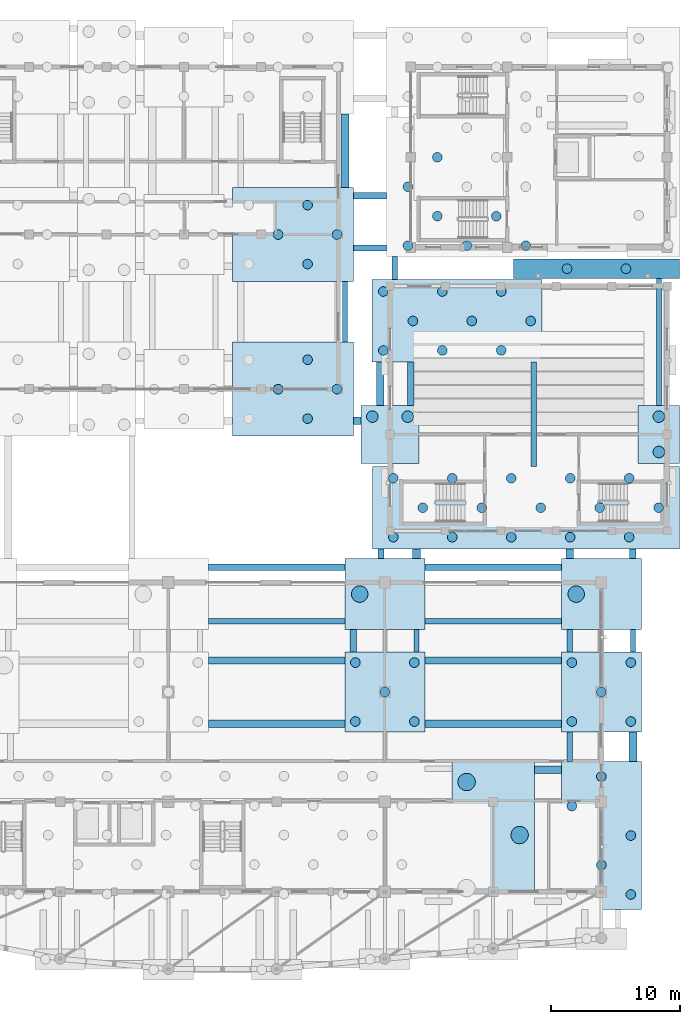
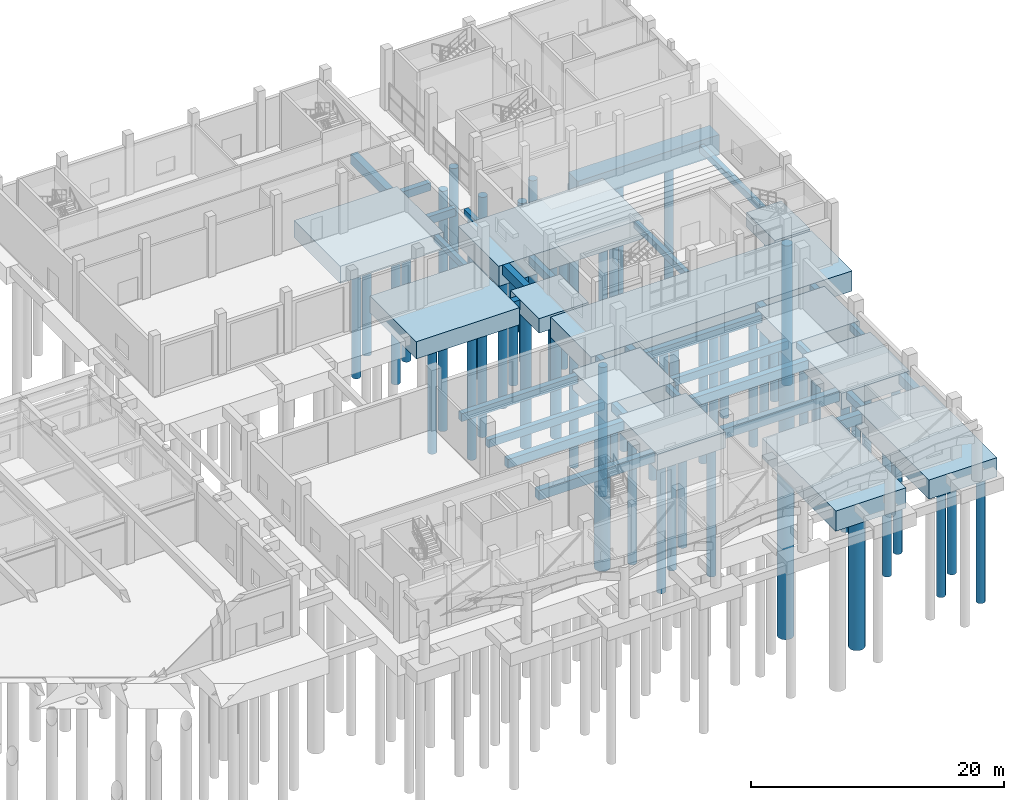
# One storey, part 7 of 60: 64 piles, 42 footings.
"""IFC4 building model written with IfcOpenShell, lengths in metres."""

from ifc_helpers import new_model, si_unit, direction, frame, origin, origin_2d, place, context, subcontext, project, spatial, rectangle, circle, extrude, material, material_profile, profile_set, type_object, element, save


model = new_model("IFC4")

# Units and contexts
model_context = context("Model", 3, precision=1e-05, world=origin(), true_north=direction((0.0, 1.0)))
body_context = subcontext(model_context, "Body", "Model", "MODEL_VIEW")
ifc_project = project(units=[si_unit("LENGTHUNIT", "METRE"), si_unit("AREAUNIT", "SQUARE_METRE"), si_unit("VOLUMEUNIT", "CUBIC_METRE"), si_unit("PLANEANGLEUNIT", "RADIAN"), si_unit("MASSUNIT", "GRAM", prefix="KILO")], contexts=[model_context])

# Site, building, storey
site_placement = place(None, origin())
site = spatial("IfcSite", under=ifc_project, at=site_placement, CompositionType="ELEMENT")
building_placement = place(site_placement, origin())
building = spatial("IfcBuilding", under=site, at=building_placement, Name="Trellovar Central Fire Station", CompositionType="ELEMENT")
storey_placement = place(building_placement, origin())
storey = spatial("IfcBuildingStorey", under=building, at=storey_placement, Name="L01", CompositionType="ELEMENT", Elevation=0.0)

# Footings
ifc_material_1 = material(Name="Concrete C35/45", Category="concrete")
footing_type_1 = type_object("IfcFootingType", Name="CAP-PC30", PredefinedType="PILE_CAP", material=ifc_material_1)
for number, where, z_axis, x_axis, name in (
    (1, (139.10009765625, 32.10009765625, -2.25), (0.0, 0.0, 1.0), (1.0, 0.0, 0.0), "Pile cap PC-30 at (139.1, 32.1)"),
    (2, (155.89990234375, 32.10009765625, -2.25), (0.0, 0.0, 1.0), (1.0, 0.0, 0.0), "Pile cap PC-30 at (155.9, 32.1)"),
):
    element("IfcFooting", number, at=place(storey_placement, frame(where, z_axis=z_axis, x_axis=x_axis)), inside=storey, type_object=footing_type_1, Name=name, PredefinedType="PILE_CAP", context=body_context, shape_type="SweptSolid", body=[
        extrude(rectangle(XDim=6.199951171875, YDim=5.5, at=origin_2d()), origin(), (0.0, 0.0, 1.0), 1.85009765625),
    ])
ifc_material_2 = material(Name="Concrete C35/45", Category="concrete")
footing_type_2 = type_object("IfcFootingType", Name="CAP-PC33", PredefinedType="PILE_CAP", material=ifc_material_2)
for number, where, z_axis, x_axis, name in (
    (3, (139.10009765625, 24.5, -1.9501953125), (0.0, 0.0, 1.0), (1.0, 0.0, 0.0), "Pile cap PC-33 at (139.1, 24.5)"),
    (4, (155.89990234375, 24.5, -1.9501953125), (0.0, 0.0, 1.0), (1.0, 0.0, 0.0), "Pile cap PC-33 at (155.9, 24.5)"),
):
    element("IfcFooting", number, at=place(storey_placement, frame(where, z_axis=z_axis, x_axis=x_axis)), inside=storey, type_object=footing_type_2, Name=name, PredefinedType="PILE_CAP", context=body_context, shape_type="SweptSolid", body=[
        extrude(rectangle(XDim=6.199951171875, YDim=6.199951171875, at=origin_2d()), origin(), (0.0, 0.0, 1.0), 1.550048828125),
    ])
ifc_material_3 = material(Name="Concrete C35/45", Category="concrete")
footing_type_3 = type_object("IfcFootingType", Name="CAP-PC36", PredefinedType="PILE_CAP", material=ifc_material_3)
for number, where, z_axis, x_axis, name in (
    (5, (131.9599609375, 48.0, -2.050048828125), (0.0, 0.0, 1.0), (1.0, 0.0, 0.0), "Pile cap PC-36 at (132.0, 48.0)"),
    (6, (131.9599609375, 60.0, -2.050048828125), (0.0, 0.0, 1.0), (1.0, 0.0, 0.0), "Pile cap PC-36 at (132.0, 60.0)"),
):
    element("IfcFooting", number, at=place(storey_placement, frame(where, z_axis=z_axis, x_axis=x_axis)), inside=storey, type_object=footing_type_3, Name=name, PredefinedType="PILE_CAP", context=body_context, shape_type="SweptSolid", body=[
        extrude(rectangle(XDim=9.39990234375, YDim=7.300048828125, at=origin_2d()), origin(), (0.0, 0.0, 1.0), 1.64990234375),
    ])
ifc_material_4 = material(Name="Concrete C35/45", Category="concrete")
footing_type_4 = type_object("IfcFootingType", Name="CAP-PC37", PredefinedType="PILE_CAP", material=ifc_material_4)
footing_1_placement = place(storey_placement, frame((150.050048828125, 38.804931640625, -2.35009765625), z_axis=(0.0, 0.0, 1.0), x_axis=(1.0, 0.0, 0.0)))
element("IfcFooting", 7, at=footing_1_placement, inside=storey, type_object=footing_type_4, Name="Pile cap PC-37 at (150.1, 38.8)", PredefinedType="PILE_CAP", context=body_context, shape_type="SweptSolid", body=[
    extrude(rectangle(XDim=23.800048828125, YDim=6.39990234375, at=origin_2d()), origin(), (0.0, 0.0, 1.0), 1.949951171875),
])
ifc_material_5 = material(Name="Concrete C35/45", Category="concrete")
footing_type_5 = type_object("IfcFootingType", Name="CAP-PC38", PredefinedType="PILE_CAP", material=ifc_material_5)
footing_2_placement = place(storey_placement, frame((139.5, 44.5, -1.800048828125), z_axis=(0.0, 0.0, 1.0), x_axis=(1.0, 0.0, 0.0)))
element("IfcFooting", 8, at=footing_2_placement, inside=storey, type_object=footing_type_5, Name="Pile cap PC-38 at (139.5, 44.5)", PredefinedType="PILE_CAP", context=body_context, shape_type="SweptSolid", body=[
    extrude(rectangle(XDim=4.5, YDim=4.5, at=origin_2d()), origin(), (0.0, 0.0, 1.0), 1.39990234375),
])
ifc_material_6 = material(Name="Concrete C35/45", Category="concrete")
footing_type_6 = type_object("IfcFootingType", Name="CAP-PC39", PredefinedType="PILE_CAP", material=ifc_material_6)
footing_3_placement = place(storey_placement, frame((144.701904296875, 53.294921875, -2.35009765625), z_axis=(0.0, 0.0, 1.0), x_axis=(1.0, 0.0, 0.0)))
element("IfcFooting", 9, at=footing_3_placement, inside=storey, type_object=footing_type_6, Name="Pile cap PC-39 at (144.7, 53.3)", PredefinedType="PILE_CAP", context=body_context, shape_type="SweptSolid", body=[
    extrude(rectangle(XDim=13.199951171875, YDim=6.39990234375, at=origin_2d()), origin(), (0.0, 0.0, 1.0), 1.949951171875),
])
ifc_material_7 = material(Name="Concrete C35/45", Category="concrete")
footing_type_7 = type_object("IfcFootingType", Name="CAP-PC42", PredefinedType="PILE_CAP", material=ifc_material_7)
footing_4_placement = place(storey_placement, frame((147.5, 13.402099609375, -2.35009765625), z_axis=(0.0, 0.0, 1.0), x_axis=(1.0, 0.0, 0.0)))
element("IfcFooting", 10, at=footing_4_placement, inside=storey, type_object=footing_type_7, Name="Pile cap PC-42 at (147.5, 13.4)", PredefinedType="PILE_CAP", context=body_context, shape_type="SweptSolid", body=[
    extrude(rectangle(XDim=6.39990234375, YDim=11.60009765625, at=origin_2d()), origin(), (0.0, 0.0, 1.0), 1.949951171875),
])
ifc_material_8 = material(Name="Concrete C35/45", Category="concrete")
footing_type_8 = type_object("IfcFootingType", Name="CAP-PC43", PredefinedType="PILE_CAP", material=ifc_material_8)
footing_5_placement = place(storey_placement, frame((155.52197265625, 57.35009765625, -1.9501953125), z_axis=(0.0, 0.0, 1.0), x_axis=(1.0, 0.0, 0.0)))
element("IfcFooting", 11, at=footing_5_placement, inside=storey, type_object=footing_type_8, Name="Pile cap PC-43 at (155.5, 57.4)", PredefinedType="PILE_CAP", context=body_context, shape_type="SweptSolid", body=[
    extrude(rectangle(XDim=12.89990234375, YDim=1.5, at=origin_2d()), origin(), (0.0, 0.0, 1.0), 1.949951171875),
])
ifc_material_9 = material(Name="Concrete C35/45", Category="concrete")
footing_type_9 = type_object("IfcFootingType", Name="CAP-PC44", PredefinedType="PILE_CAP", material=ifc_material_9)
footing_6_placement = place(storey_placement, frame((155.89990234375, 13.363037109375, -2.25), z_axis=(0.0, 0.0, 1.0), x_axis=(1.0, 0.0, 0.0)))
element("IfcFooting", 12, at=footing_6_placement, inside=storey, type_object=footing_type_9, Name="Pile cap PC-44 at (155.9, 13.4)", PredefinedType="PILE_CAP", context=body_context, shape_type="SweptSolid", body=[
    extrude(rectangle(XDim=6.199951171875, YDim=11.5, at=origin_2d()), origin(), (0.0, 0.0, 1.0), 1.85009765625),
])
ifc_material_10 = material(Name="Concrete C35/45", Category="concrete")
footing_type_10 = type_object("IfcFootingType", Name="CAP-PC45", PredefinedType="PILE_CAP", material=ifc_material_10)
footing_7_placement = place(storey_placement, frame((160.360107421875, 44.5, -1.800048828125), z_axis=(0.0, 0.0, 1.0), x_axis=(1.0, 0.0, 0.0)))
element("IfcFooting", 13, at=footing_7_placement, inside=storey, type_object=footing_type_10, Name="Pile cap PC-45 at (160.4, 44.5)", PredefinedType="PILE_CAP", context=body_context, shape_type="SweptSolid", body=[
    extrude(rectangle(XDim=3.199951171875, YDim=4.5, at=origin_2d()), origin(), (0.0, 0.0, 1.0), 1.39990234375),
])
ifc_material_11 = material(Name="Concrete C35/45", Category="concrete")
ifc_material_profile_1 = material_profile(ifc_material_11, rectangle(XDim=0.5, YDim=0.800048828125, at=origin_2d()), Name="RC500X800")
ifc_profile_set_1 = profile_set([ifc_material_profile_1], Name="Concrete C35/45")
footing_type_11 = type_object("IfcFootingType", Name="FB-GB1", PredefinedType="FOOTING_BEAM", material=ifc_profile_set_1)
footing_8_placement = place(storey_placement, frame((136.64990234375, 27.60009765625, -0.800048828125), z_axis=(0.0, 1.0, 0.0), x_axis=(-1.0, 0.0, 0.0)))
element("IfcFooting", 14, at=footing_8_placement, inside=storey, type_object=footing_type_11, Name="Footing tie beam GB-231", PredefinedType="FOOTING_BEAM", context=body_context, shape_type="SweptSolid", body=[
    extrude(rectangle(XDim=0.5, YDim=0.800048828125, at=origin_2d()), origin(), (0.0, 0.0, 1.0), 1.75),
])
footing_9_placement = place(storey_placement, frame((141.10009765625, 46.75, -0.800048828125), z_axis=(0.0, 1.0, 0.0), x_axis=(-1.0, 0.0, 0.0)))
element("IfcFooting", 15, at=footing_9_placement, inside=storey, type_object=footing_type_11, Name="Footing tie beam GB-239", PredefinedType="FOOTING_BEAM", context=body_context, shape_type="SweptSolid", body=[
    extrude(rectangle(XDim=0.5, YDim=0.800048828125, at=origin_2d()), origin(), (0.0, 0.0, 1.0), 3.344970703125),
])
footing_10_placement = place(storey_placement, frame((158.35009765625, 34.85009765625, -0.800048828125), z_axis=(0.0, 1.0, 0.0), x_axis=(-1.0, 0.0, 0.0)))
element("IfcFooting", 16, at=footing_10_placement, inside=storey, type_object=footing_type_11, Name="Footing tie beam GB-259", PredefinedType="FOOTING_BEAM", context=body_context, shape_type="SweptSolid", body=[
    extrude(rectangle(XDim=0.5, YDim=0.800048828125, at=origin_2d()), origin(), (0.0, 0.0, 1.0), 0.7548828125),
])
ifc_material_12 = material(Name="Concrete C35/45", Category="concrete")
ifc_material_profile_2 = material_profile(ifc_material_12, rectangle(XDim=0.60009765625, YDim=0.949951171875, at=origin_2d()), Name="RC600X950")
ifc_profile_set_2 = profile_set([ifc_material_profile_2], Name="Concrete C35/45")
footing_type_12 = type_object("IfcFootingType", Name="FB-GB2", PredefinedType="FOOTING_BEAM", material=ifc_profile_set_2)
footing_11_placement = place(storey_placement, frame((125.39990234375, 22.050048828125, -0.875), z_axis=(1.0, 0.0, 0.0), x_axis=(0.0, 1.0, 0.0)))
element("IfcFooting", 17, at=footing_11_placement, inside=storey, type_object=footing_type_12, Name="Footing tie beam GB-197", PredefinedType="FOOTING_BEAM", context=body_context, shape_type="SweptSolid", body=[
    extrude(rectangle(XDim=0.60009765625, YDim=0.949951171875, at=origin_2d()), origin(), (0.0, 0.0, 1.0), 10.60009765625),
])
footing_12_placement = place(storey_placement, frame((136.659912109375, 45.550048828125, -0.875), z_axis=(1.0, 0.0, 0.0), x_axis=(0.0, 1.0, 0.0)))
element("IfcFooting", 18, at=footing_12_placement, inside=storey, type_object=footing_type_12, Name="Footing tie beam GB-214", PredefinedType="FOOTING_BEAM", context=body_context, shape_type="SweptSolid", body=[
    extrude(rectangle(XDim=0.60009765625, YDim=0.949951171875, at=origin_2d()), origin(), (0.0, 0.0, 1.0), 0.590087890625),
])
footing_13_placement = place(storey_placement, frame((136.010009765625, 63.64990234375, -0.875), z_axis=(0.0, 1.0, 0.0), x_axis=(-1.0, 0.0, 0.0)))
element("IfcFooting", 19, at=footing_13_placement, inside=storey, type_object=footing_type_12, Name="Footing tie beam GB-220", PredefinedType="FOOTING_BEAM", context=body_context, shape_type="SweptSolid", body=[
    extrude(rectangle(XDim=0.60009765625, YDim=0.949951171875, at=origin_2d()), origin(), (0.0, 0.0, 1.0), 5.7001953125),
])
footing_14_placement = place(storey_placement, frame((142.199951171875, 22.050048828125, -0.875), z_axis=(1.0, 0.0, 0.0), x_axis=(0.0, 1.0, 0.0)))
element("IfcFooting", 20, at=footing_14_placement, inside=storey, type_object=footing_type_12, Name="Footing tie beam GB-229", PredefinedType="FOOTING_BEAM", context=body_context, shape_type="SweptSolid", body=[
    extrude(rectangle(XDim=0.60009765625, YDim=0.949951171875, at=origin_2d()), origin(), (0.0, 0.0, 1.0), 10.60009765625),
])
footing_15_placement = place(storey_placement, frame((141.550048828125, 34.85009765625, -0.875), z_axis=(0.0, 1.0, 0.0), x_axis=(-1.0, 0.0, 0.0)))
element("IfcFooting", 21, at=footing_15_placement, inside=storey, type_object=footing_type_12, Name="Footing tie beam GB-236", PredefinedType="FOOTING_BEAM", context=body_context, shape_type="SweptSolid", body=[
    extrude(rectangle(XDim=0.60009765625, YDim=0.949951171875, at=origin_2d()), origin(), (0.0, 0.0, 1.0), 0.7548828125),
])
footing_16_placement = place(storey_placement, frame((138.751953125, 46.75, -0.875), z_axis=(0.0, 1.0, 0.0), x_axis=(-1.0, 0.0, 0.0)))
element("IfcFooting", 22, at=footing_16_placement, inside=storey, type_object=footing_type_12, Name="Footing tie beam GB-238", PredefinedType="FOOTING_BEAM", context=body_context, shape_type="SweptSolid", body=[
    extrude(rectangle(XDim=0.60009765625, YDim=0.949951171875, at=origin_2d()), origin(), (0.0, 0.0, 1.0), 3.344970703125),
])
footing_17_placement = place(storey_placement, frame((150.699951171875, 18.462890625, -0.875), z_axis=(1.0, 0.0, 0.0), x_axis=(0.0, 1.0, 0.0)))
element("IfcFooting", 23, at=footing_17_placement, inside=storey, type_object=footing_type_12, Name="Footing tie beam GB-251", PredefinedType="FOOTING_BEAM", context=body_context, shape_type="SweptSolid", body=[
    extrude(rectangle(XDim=0.60009765625, YDim=0.949951171875, at=origin_2d()), origin(), (0.0, 0.0, 1.0), 2.10009765625),
])
footing_18_placement = place(storey_placement, frame((158.35009765625, 19.113037109375, -0.875), z_axis=(0.0, 1.0, 0.0), x_axis=(-1.0, 0.0, 0.0)))
element("IfcFooting", 24, at=footing_18_placement, inside=storey, type_object=footing_type_12, Name="Footing tie beam GB-255", PredefinedType="FOOTING_BEAM", context=body_context, shape_type="SweptSolid", body=[
    extrude(rectangle(XDim=0.60009765625, YDim=0.949951171875, at=origin_2d()), origin(), (0.0, 0.0, 1.0), 2.286865234375),
])
footing_19_placement = place(storey_placement, frame((153.449951171875, 34.85009765625, -0.875), z_axis=(0.0, 1.0, 0.0), x_axis=(-1.0, 0.0, 0.0)))
element("IfcFooting", 25, at=footing_19_placement, inside=storey, type_object=footing_type_12, Name="Footing tie beam GB-258", PredefinedType="FOOTING_BEAM", context=body_context, shape_type="SweptSolid", body=[
    extrude(rectangle(XDim=0.60009765625, YDim=0.949951171875, at=origin_2d()), origin(), (0.0, 0.0, 1.0), 0.7548828125),
])
ifc_material_13 = material(Name="Concrete C35/45", Category="concrete")
ifc_material_profile_3 = material_profile(ifc_material_13, rectangle(XDim=0.449951171875, YDim=0.75, at=origin_2d()), Name="RC450X750")
ifc_profile_set_3 = profile_set([ifc_material_profile_3], Name="Concrete C35/45")
footing_type_13 = type_object("IfcFootingType", Name="FB-GB3", PredefinedType="FOOTING_BEAM", material=ifc_profile_set_3)
footing_20_placement = place(storey_placement, frame((125.39990234375, 30.0, -0.77490234375), z_axis=(1.0, 0.0, 0.0), x_axis=(0.0, 1.0, 0.0)))
element("IfcFooting", 26, at=footing_20_placement, inside=storey, type_object=footing_type_13, Name="Footing tie beam GB-201", PredefinedType="FOOTING_BEAM", context=body_context, shape_type="SweptSolid", body=[
    extrude(rectangle(XDim=0.449951171875, YDim=0.75, at=origin_2d()), origin(), (0.0, 0.0, 1.0), 10.60009765625),
])
footing_21_placement = place(storey_placement, frame((136.659912109375, 58.962890625, -0.77490234375), z_axis=(1.0, 0.0, 0.0), x_axis=(0.0, 1.0, 0.0)))
element("IfcFooting", 27, at=footing_21_placement, inside=storey, type_object=footing_type_13, Name="Footing tie beam GB-217", PredefinedType="FOOTING_BEAM", context=body_context, shape_type="SweptSolid", body=[
    extrude(rectangle(XDim=0.449951171875, YDim=0.75, at=origin_2d()), origin(), (0.0, 0.0, 1.0), 2.552001953125),
])
footing_22_placement = place(storey_placement, frame((142.199951171875, 30.0, -0.77490234375), z_axis=(1.0, 0.0, 0.0), x_axis=(0.0, 1.0, 0.0)))
element("IfcFooting", 28, at=footing_22_placement, inside=storey, type_object=footing_type_13, Name="Footing tie beam GB-233", PredefinedType="FOOTING_BEAM", context=body_context, shape_type="SweptSolid", body=[
    extrude(rectangle(XDim=0.449951171875, YDim=0.75, at=origin_2d()), origin(), (0.0, 0.0, 1.0), 10.60009765625),
])
ifc_material_14 = material(Name="Concrete C35/45", Category="concrete")
ifc_material_profile_4 = material_profile(ifc_material_14, rectangle(XDim=0.39990234375, YDim=0.64990234375, at=origin_2d()), Name="RC400X650")
ifc_profile_set_4 = profile_set([ifc_material_profile_4], Name="Concrete C35/45")
footing_type_14 = type_object("IfcFootingType", Name="FB-GB4", PredefinedType="FOOTING_BEAM", material=ifc_profile_set_4)
footing_23_placement = place(storey_placement, frame((150.652099609375, 42.0048828125, -0.72509765625), z_axis=(0.0, 1.0, 0.0), x_axis=(-1.0, 0.0, 0.0)))
element("IfcFooting", 29, at=footing_23_placement, inside=storey, type_object=footing_type_14, Name="Footing tie beam GB-237", PredefinedType="FOOTING_BEAM", context=body_context, shape_type="SweptSolid", body=[
    extrude(rectangle(XDim=0.39990234375, YDim=0.64990234375, at=origin_2d()), origin(), (0.0, 0.0, 1.0), 8.090087890625),
])
footing_24_placement = place(storey_placement, frame((139.862060546875, 56.4951171875, -0.72509765625), z_axis=(0.0, 1.0, 0.0), x_axis=(-1.0, 0.0, 0.0)))
element("IfcFooting", 30, at=footing_24_placement, inside=storey, type_object=footing_type_14, Name="Footing tie beam GB-240", PredefinedType="FOOTING_BEAM", context=body_context, shape_type="SweptSolid", body=[
    extrude(rectangle(XDim=0.39990234375, YDim=0.64990234375, at=origin_2d()), origin(), (0.0, 0.0, 1.0), 1.81787109375),
])
footing_25_placement = place(storey_placement, frame((158.35009765625, 27.60009765625, -0.72509765625), z_axis=(0.0, 1.0, 0.0), x_axis=(-1.0, 0.0, 0.0)))
element("IfcFooting", 31, at=footing_25_placement, inside=storey, type_object=footing_type_14, Name="Footing tie beam GB-257", PredefinedType="FOOTING_BEAM", context=body_context, shape_type="SweptSolid", body=[
    extrude(rectangle(XDim=0.39990234375, YDim=0.64990234375, at=origin_2d()), origin(), (0.0, 0.0, 1.0), 1.75),
])
footing_26_placement = place(storey_placement, frame((160.360107421875, 46.75, -0.72509765625), z_axis=(0.0, 1.0, 0.0), x_axis=(-1.0, 0.0, 0.0)))
element("IfcFooting", 32, at=footing_26_placement, inside=storey, type_object=footing_type_14, Name="Footing tie beam GB-260", PredefinedType="FOOTING_BEAM", context=body_context, shape_type="SweptSolid", body=[
    extrude(rectangle(XDim=0.39990234375, YDim=0.64990234375, at=origin_2d()), origin(), (0.0, 0.0, 1.0), 9.85009765625),
])
ifc_material_15 = material(Name="Concrete C35/45", Category="concrete")
ifc_material_profile_5 = material_profile(ifc_material_15, rectangle(XDim=0.550048828125, YDim=0.85009765625, at=origin_2d()), Name="RC550X850")
ifc_profile_set_5 = profile_set([ifc_material_profile_5], Name="Concrete C35/45")
footing_type_15 = type_object("IfcFootingType", Name="FB-GB5", PredefinedType="FOOTING_BEAM", material=ifc_profile_set_5)
for number, where, z_axis, x_axis, name in (
    (33, (125.39990234375, 26.949951171875, -0.824951171875), (1.0, 0.0, 0.0), (0.0, 1.0, 0.0), "Footing tie beam GB-198"),
    (34, (142.199951171875, 26.949951171875, -0.824951171875), (1.0, 0.0, 0.0), (0.0, 1.0, 0.0), "Footing tie beam GB-230"),
):
    element("IfcFooting", number, at=place(storey_placement, frame(where, z_axis=z_axis, x_axis=x_axis)), inside=storey, type_object=footing_type_15, Name=name, PredefinedType="FOOTING_BEAM", context=body_context, shape_type="SweptSolid", body=[
        extrude(rectangle(XDim=0.550048828125, YDim=0.85009765625, at=origin_2d()), origin(), (0.0, 0.0, 1.0), 10.60009765625),
    ])
ifc_material_16 = material(Name="Concrete C35/45", Category="concrete")
ifc_material_profile_6 = material_profile(ifc_material_16, rectangle(XDim=0.5, YDim=0.75, at=origin_2d()), Name="RC500X750")
ifc_profile_set_6 = profile_set([ifc_material_profile_6], Name="Concrete C35/45")
footing_type_16 = type_object("IfcFootingType", Name="FB-GB6", PredefinedType="FOOTING_BEAM", material=ifc_profile_set_6)
footing_27_placement = place(storey_placement, frame((125.39990234375, 34.199951171875, -0.77490234375), z_axis=(1.0, 0.0, 0.0), x_axis=(0.0, 1.0, 0.0)))
element("IfcFooting", 35, at=footing_27_placement, inside=storey, type_object=footing_type_16, Name="Footing tie beam GB-202", PredefinedType="FOOTING_BEAM", context=body_context, shape_type="SweptSolid", body=[
    extrude(rectangle(XDim=0.5, YDim=0.75, at=origin_2d()), origin(), (0.0, 0.0, 1.0), 10.60009765625),
])
footing_28_placement = place(storey_placement, frame((136.659912109375, 63.0, -0.77490234375), z_axis=(1.0, 0.0, 0.0), x_axis=(0.0, 1.0, 0.0)))
element("IfcFooting", 36, at=footing_28_placement, inside=storey, type_object=footing_type_16, Name="Footing tie beam GB-218", PredefinedType="FOOTING_BEAM", context=body_context, shape_type="SweptSolid", body=[
    extrude(rectangle(XDim=0.5, YDim=0.75, at=origin_2d()), origin(), (0.0, 0.0, 1.0), 2.552001953125),
])
footing_29_placement = place(storey_placement, frame((142.199951171875, 34.199951171875, -0.77490234375), z_axis=(1.0, 0.0, 0.0), x_axis=(0.0, 1.0, 0.0)))
element("IfcFooting", 37, at=footing_29_placement, inside=storey, type_object=footing_type_16, Name="Footing tie beam GB-234", PredefinedType="FOOTING_BEAM", context=body_context, shape_type="SweptSolid", body=[
    extrude(rectangle(XDim=0.5, YDim=0.75, at=origin_2d()), origin(), (0.0, 0.0, 1.0), 10.60009765625),
])
ifc_material_17 = material(Name="Concrete C35/45", Category="concrete")
ifc_material_profile_7 = material_profile(ifc_material_17, rectangle(XDim=0.449951171875, YDim=0.699951171875, at=origin_2d()), Name="RC450X700")
ifc_profile_set_7 = profile_set([ifc_material_profile_7], Name="Concrete C35/45")
footing_type_17 = type_object("IfcFootingType", Name="FB-GB7", PredefinedType="FOOTING_BEAM", material=ifc_profile_set_7)
footing_30_placement = place(storey_placement, frame((138.800048828125, 34.85009765625, -0.75), z_axis=(0.0, 1.0, 0.0), x_axis=(-1.0, 0.0, 0.0)))
element("IfcFooting", 38, at=footing_30_placement, inside=storey, type_object=footing_type_17, Name="Footing tie beam GB-235", PredefinedType="FOOTING_BEAM", context=body_context, shape_type="SweptSolid", body=[
    extrude(rectangle(XDim=0.449951171875, YDim=0.699951171875, at=origin_2d()), origin(), (0.0, 0.0, 1.0), 0.7548828125),
])
footing_31_placement = place(storey_placement, frame((153.449951171875, 19.113037109375, -0.75), z_axis=(0.0, 1.0, 0.0), x_axis=(-1.0, 0.0, 0.0)))
element("IfcFooting", 39, at=footing_31_placement, inside=storey, type_object=footing_type_17, Name="Footing tie beam GB-254", PredefinedType="FOOTING_BEAM", context=body_context, shape_type="SweptSolid", body=[
    extrude(rectangle(XDim=0.449951171875, YDim=0.699951171875, at=origin_2d()), origin(), (0.0, 0.0, 1.0), 2.286865234375),
])
ifc_material_18 = material(Name="Concrete C35/45", Category="concrete")
ifc_material_profile_8 = material_profile(ifc_material_18, rectangle(XDim=0.39990234375, YDim=0.60009765625, at=origin_2d()), Name="RC400X600")
ifc_profile_set_8 = profile_set([ifc_material_profile_8], Name="Concrete C35/45")
footing_type_18 = type_object("IfcFootingType", Name="FB-GB8", PredefinedType="FOOTING_BEAM", material=ifc_profile_set_8)
footing_32_placement = place(storey_placement, frame((136.010009765625, 51.64990234375, -0.699951171875), z_axis=(0.0, 1.0, 0.0), x_axis=(-1.0, 0.0, 0.0)))
element("IfcFooting", 40, at=footing_32_placement, inside=storey, type_object=footing_type_18, Name="Footing tie beam GB-216", PredefinedType="FOOTING_BEAM", context=body_context, shape_type="SweptSolid", body=[
    extrude(rectangle(XDim=0.39990234375, YDim=0.60009765625, at=origin_2d()), origin(), (0.0, 0.0, 1.0), 4.7001953125),
])
for number, where, z_axis, x_axis, name in (
    (41, (141.550048828125, 27.60009765625, -0.699951171875), (0.0, 1.0, 0.0), (-1.0, 0.0, 0.0), "Footing tie beam GB-232"),
    (42, (153.449951171875, 27.60009765625, -0.699951171875), (0.0, 1.0, 0.0), (-1.0, 0.0, 0.0), "Footing tie beam GB-256"),
):
    element("IfcFooting", number, at=place(storey_placement, frame(where, z_axis=z_axis, x_axis=x_axis)), inside=storey, type_object=footing_type_18, Name=name, PredefinedType="FOOTING_BEAM", context=body_context, shape_type="SweptSolid", body=[
        extrude(rectangle(XDim=0.39990234375, YDim=0.60009765625, at=origin_2d()), origin(), (0.0, 0.0, 1.0), 1.75),
    ])

# Piles
ifc_material_19 = material(Name="Concrete C35/45", Category="concrete")
ifc_material_profile_9 = material_profile(ifc_material_19, circle(Radius=0.375, at=origin_2d()), Name="PILE750")
ifc_profile_set_9 = profile_set([ifc_material_profile_9], Name="Concrete C35/45")
pile_type_1 = type_object("IfcPileType", Name="PILE-BP1", PredefinedType="BORED", material=ifc_profile_set_9)
for number, where, z_axis, x_axis, name in (
    (43, (130.81689453125, 48.0, -1.949951171875), (0.0, 0.0, -1.0), (1.0, 0.0, 0.0), "Bored pile FNDBP3-077-03"),
    (44, (133.10302734375, 45.712890625, -1.949951171875), (0.0, 0.0, -1.0), (1.0, 0.0, 0.0), "Bored pile FNDBP3-077-04"),
    (45, (133.10302734375, 50.287109375, -1.949951171875), (0.0, 0.0, -1.0), (1.0, 0.0, 0.0), "Bored pile FNDBP3-077-05"),
    (46, (135.389892578125, 48.0, -1.949951171875), (0.0, 0.0, -1.0), (1.0, 0.0, 0.0), "Bored pile FNDBP3-077-06"),
    (47, (130.81689453125, 60.0, -1.949951171875), (0.0, 0.0, -1.0), (1.0, 0.0, 0.0), "Bored pile FNDBP3-078-03"),
    (48, (133.10302734375, 57.712890625, -1.949951171875), (0.0, 0.0, -1.0), (1.0, 0.0, 0.0), "Bored pile FNDBP3-078-04"),
    (49, (133.10302734375, 62.287109375, -1.949951171875), (0.0, 0.0, -1.0), (1.0, 0.0, 0.0), "Bored pile FNDBP3-078-05"),
    (50, (135.389892578125, 60.0, -1.949951171875), (0.0, 0.0, -1.0), (1.0, 0.0, 0.0), "Bored pile FNDBP3-078-06"),
    (51, (136.81298828125, 22.212890625, -1.85009765625), (0.0, 0.0, -1.0), (1.0, 0.0, 0.0), "Bored pile FNDBP3-082-01"),
    (52, (136.81298828125, 26.787109375, -1.85009765625), (0.0, 0.0, -1.0), (1.0, 0.0, 0.0), "Bored pile FNDBP3-082-02"),
    (53, (139.10009765625, 24.5, -1.85009765625), (0.0, 0.0, -1.0), (1.0, 0.0, 0.0), "Bored pile FNDBP3-082-03"),
    (54, (141.386962890625, 22.212890625, -1.85009765625), (0.0, 0.0, -1.0), (1.0, 0.0, 0.0), "Bored pile FNDBP3-082-04"),
    (55, (141.386962890625, 26.787109375, -1.85009765625), (0.0, 0.0, -1.0), (1.0, 0.0, 0.0), "Bored pile FNDBP3-082-05"),
    (56, (139.759033203125, 36.51806640625, -2.25), (0.0, 0.0, -1.0), (1.0, 0.0, 0.0), "Bored pile FNDBP3-084-01"),
    (57, (139.759033203125, 41.092041015625, -2.25), (0.0, 0.0, -1.0), (1.0, 0.0, 0.0), "Bored pile FNDBP3-084-02"),
    (58, (142.044921875, 38.804931640625, -2.25), (0.0, 0.0, -1.0), (1.0, 0.0, 0.0), "Bored pile FNDBP3-084-03"),
    (59, (144.3330078125, 36.51806640625, -2.25), (0.0, 0.0, -1.0), (1.0, 0.0, 0.0), "Bored pile FNDBP3-084-04"),
    (60, (144.3330078125, 41.092041015625, -2.25), (0.0, 0.0, -1.0), (1.0, 0.0, 0.0), "Bored pile FNDBP3-084-05"),
    (61, (146.6201171875, 38.804931640625, -2.25), (0.0, 0.0, -1.0), (1.0, 0.0, 0.0), "Bored pile FNDBP3-084-06"),
    (62, (148.906982421875, 36.51806640625, -2.25), (0.0, 0.0, -1.0), (1.0, 0.0, 0.0), "Bored pile FNDBP3-084-07"),
    (63, (148.906982421875, 41.092041015625, -2.25), (0.0, 0.0, -1.0), (1.0, 0.0, 0.0), "Bored pile FNDBP3-084-08"),
    (64, (151.193115234375, 38.804931640625, -2.25), (0.0, 0.0, -1.0), (1.0, 0.0, 0.0), "Bored pile FNDBP3-084-09"),
    (65, (153.48095703125, 36.51806640625, -2.25), (0.0, 0.0, -1.0), (1.0, 0.0, 0.0), "Bored pile FNDBP3-084-10"),
    (66, (153.48095703125, 41.092041015625, -2.25), (0.0, 0.0, -1.0), (1.0, 0.0, 0.0), "Bored pile FNDBP3-084-11"),
    (67, (155.76806640625, 38.804931640625, -2.25), (0.0, 0.0, -1.0), (1.0, 0.0, 0.0), "Bored pile FNDBP3-084-12"),
    (68, (158.054931640625, 36.51806640625, -2.25), (0.0, 0.0, -1.0), (1.0, 0.0, 0.0), "Bored pile FNDBP3-084-13"),
    (69, (158.054931640625, 41.092041015625, -2.25), (0.0, 0.0, -1.0), (1.0, 0.0, 0.0), "Bored pile FNDBP3-084-14"),
    (70, (160.341064453125, 38.804931640625, -2.25), (0.0, 0.0, -1.0), (1.0, 0.0, 0.0), "Bored pile FNDBP3-084-15"),
    (71, (138.985107421875, 51.008056640625, -2.25), (0.0, 0.0, -1.0), (1.0, 0.0, 0.0), "Bored pile FNDBP3-086-01"),
    (72, (138.985107421875, 55.58203125, -2.25), (0.0, 0.0, -1.0), (1.0, 0.0, 0.0), "Bored pile FNDBP3-086-02"),
    (73, (141.27197265625, 53.294921875, -2.25), (0.0, 0.0, -1.0), (1.0, 0.0, 0.0), "Bored pile FNDBP3-086-03"),
    (74, (143.55908203125, 51.008056640625, -2.25), (0.0, 0.0, -1.0), (1.0, 0.0, 0.0), "Bored pile FNDBP3-086-04"),
    (75, (143.55908203125, 55.58203125, -2.25), (0.0, 0.0, -1.0), (1.0, 0.0, 0.0), "Bored pile FNDBP3-086-05"),
    (76, (145.845947265625, 53.294921875, -2.25), (0.0, 0.0, -1.0), (1.0, 0.0, 0.0), "Bored pile FNDBP3-086-06"),
    (77, (148.133056640625, 51.008056640625, -2.25), (0.0, 0.0, -1.0), (1.0, 0.0, 0.0), "Bored pile FNDBP3-086-07"),
    (78, (148.133056640625, 55.58203125, -2.25), (0.0, 0.0, -1.0), (1.0, 0.0, 0.0), "Bored pile FNDBP3-086-08"),
    (79, (150.4189453125, 53.294921875, -2.25), (0.0, 0.0, -1.0), (1.0, 0.0, 0.0), "Bored pile FNDBP3-086-09"),
    (80, (140.887939453125, 59.138916015625, -2.14990234375), (0.0, 0.0, -1.0), (1.0, 0.0, 0.0), "Bored pile FNDBP3-087-01"),
    (81, (140.887939453125, 63.712890625, -2.14990234375), (0.0, 0.0, -1.0), (1.0, 0.0, 0.0), "Bored pile FNDBP3-087-02"),
    (82, (143.175048828125, 61.426025390625, -2.14990234375), (0.0, 0.0, -1.0), (1.0, 0.0, 0.0), "Bored pile FNDBP3-087-04"),
    (83, (143.175048828125, 66.0, -2.14990234375), (0.0, 0.0, -1.0), (1.0, 0.0, 0.0), "Bored pile FNDBP3-087-05"),
    (84, (145.4619140625, 59.138916015625, -2.14990234375), (0.0, 0.0, -1.0), (1.0, 0.0, 0.0), "Bored pile FNDBP3-087-06"),
    (85, (147.7490234375, 61.426025390625, -2.14990234375), (0.0, 0.0, -1.0), (1.0, 0.0, 0.0), "Bored pile FNDBP3-087-09"),
    (86, (150.035888671875, 59.138916015625, -2.14990234375), (0.0, 0.0, -1.0), (1.0, 0.0, 0.0), "Bored pile FNDBP3-087-11"),
    (87, (153.235107421875, 57.35009765625, -1.85009765625), (0.0, 0.0, -1.0), (1.0, 0.0, 0.0), "Bored pile FNDBP3-091-01"),
    (88, (157.80908203125, 57.35009765625, -1.85009765625), (0.0, 0.0, -1.0), (1.0, 0.0, 0.0), "Bored pile FNDBP3-091-02"),
    (89, (153.613037109375, 15.64990234375, -2.14990234375), (0.0, 0.0, -1.0), (1.0, 0.0, 0.0), "Bored pile FNDBP3-093-02"),
    (90, (155.89990234375, 11.075927734375, -2.14990234375), (0.0, 0.0, -1.0), (1.0, 0.0, 0.0), "Bored pile FNDBP3-093-03"),
    (91, (155.89990234375, 17.93701171875, -2.14990234375), (0.0, 0.0, -1.0), (1.0, 0.0, 0.0), "Bored pile FNDBP3-093-04"),
    (92, (158.18701171875, 8.7890625, -2.14990234375), (0.0, 0.0, -1.0), (1.0, 0.0, 0.0), "Bored pile FNDBP3-093-05"),
    (93, (158.18701171875, 13.363037109375, -2.14990234375), (0.0, 0.0, -1.0), (1.0, 0.0, 0.0), "Bored pile FNDBP3-093-06"),
    (94, (153.613037109375, 22.212890625, -1.85009765625), (0.0, 0.0, -1.0), (1.0, 0.0, 0.0), "Bored pile FNDBP3-094-01"),
    (95, (153.613037109375, 26.787109375, -1.85009765625), (0.0, 0.0, -1.0), (1.0, 0.0, 0.0), "Bored pile FNDBP3-094-02"),
    (96, (155.89990234375, 24.5, -1.85009765625), (0.0, 0.0, -1.0), (1.0, 0.0, 0.0), "Bored pile FNDBP3-094-03"),
    (97, (158.18701171875, 22.212890625, -1.85009765625), (0.0, 0.0, -1.0), (1.0, 0.0, 0.0), "Bored pile FNDBP3-094-04"),
    (98, (158.18701171875, 26.787109375, -1.85009765625), (0.0, 0.0, -1.0), (1.0, 0.0, 0.0), "Bored pile FNDBP3-094-05"),
):
    element("IfcPile", number, at=place(storey_placement, frame(where, z_axis=z_axis, x_axis=x_axis)), inside=storey, type_object=pile_type_1, Name=name, PredefinedType="BORED", context=body_context, shape_type="SweptSolid", body=[
        extrude(circle(Radius=0.375, at=origin_2d()), origin(), (0.0, 0.0, 1.0), 12.5),
    ])
ifc_material_20 = material(Name="Concrete C35/45", Category="concrete")
ifc_material_profile_10 = material_profile(ifc_material_20, circle(Radius=0.449951171875, at=origin_2d()), Name="PILE900")
ifc_profile_set_10 = profile_set([ifc_material_profile_10], Name="Concrete C35/45")
pile_type_2 = type_object("IfcPileType", Name="PILE-BP2", PredefinedType="BORED", material=ifc_profile_set_10)
for number, where, z_axis, x_axis, name in (
    (99, (138.126953125, 45.873046875, -1.699951171875), (0.0, 0.0, -1.0), (1.0, 0.0, 0.0), "Bored pile FNDBP3-085-01"),
    (100, (140.873046875, 45.873046875, -1.699951171875), (0.0, 0.0, -1.0), (1.0, 0.0, 0.0), "Bored pile FNDBP3-085-02"),
    (101, (160.360107421875, 43.126953125, -1.699951171875), (0.0, 0.0, -1.0), (1.0, 0.0, 0.0), "Bored pile FNDBP3-096-01"),
    (102, (160.360107421875, 45.873046875, -1.699951171875), (0.0, 0.0, -1.0), (1.0, 0.0, 0.0), "Bored pile FNDBP3-096-02"),
):
    element("IfcPile", number, at=place(storey_placement, frame(where, z_axis=z_axis, x_axis=x_axis)), inside=storey, type_object=pile_type_2, Name=name, PredefinedType="BORED", context=body_context, shape_type="SweptSolid", body=[
        extrude(circle(Radius=0.449951171875, at=origin_2d()), origin(), (0.0, 0.0, 1.0), 13.5),
    ])
ifc_material_21 = material(Name="Concrete C35/45", Category="concrete")
ifc_material_profile_11 = material_profile(ifc_material_21, circle(Radius=0.639892578125, at=origin_2d()), Name="PILE1280")
ifc_profile_set_11 = profile_set([ifc_material_profile_11], Name="Concrete C35/45")
pile_type_3 = type_object("IfcPileType", Name="PILE-BP5", PredefinedType="BORED", material=ifc_profile_set_11)
for number, where, z_axis, x_axis, name in (
    (103, (137.14794921875, 32.10009765625, -2.14990234375), (0.0, 0.0, -1.0), (1.0, 0.0, 0.0), "Bored pile FNDBP3-083-01"),
    (104, (153.947998046875, 32.10009765625, -2.14990234375), (0.0, 0.0, -1.0), (1.0, 0.0, 0.0), "Bored pile FNDBP3-095-01"),
):
    element("IfcPile", number, at=place(storey_placement, frame(where, z_axis=z_axis, x_axis=x_axis)), inside=storey, type_object=pile_type_3, Name=name, PredefinedType="BORED", context=body_context, shape_type="SweptSolid", body=[
        extrude(circle(Radius=0.639892578125, at=origin_2d()), origin(), (0.0, 0.0, 1.0), 16.0),
    ])
ifc_material_22 = material(Name="Concrete C35/45", Category="concrete")
ifc_material_profile_12 = material_profile(ifc_material_22, circle(Radius=0.675048828125, at=origin_2d()), Name="PILE1350")
ifc_profile_set_12 = profile_set([ifc_material_profile_12], Name="Concrete C35/45")
pile_type_4 = type_object("IfcPileType", Name="PILE-BP6", PredefinedType="BORED", material=ifc_profile_set_12)
for number, where, z_axis, x_axis, name in (
    (105, (145.44189453125, 17.51904296875, -2.25), (0.0, 0.0, -1.0), (1.0, 0.0, 0.0), "Bored pile FNDBP3-090-02"),
    (106, (149.55810546875, 13.402099609375, -2.25), (0.0, 0.0, -1.0), (1.0, 0.0, 0.0), "Bored pile FNDBP3-090-03"),
):
    element("IfcPile", number, at=place(storey_placement, frame(where, z_axis=z_axis, x_axis=x_axis)), inside=storey, type_object=pile_type_4, Name=name, PredefinedType="BORED", context=body_context, shape_type="SweptSolid", body=[
        extrude(circle(Radius=0.675048828125, at=origin_2d()), origin(), (0.0, 0.0, 1.0), 16.5),
    ])

save(model, "model.ifc")
